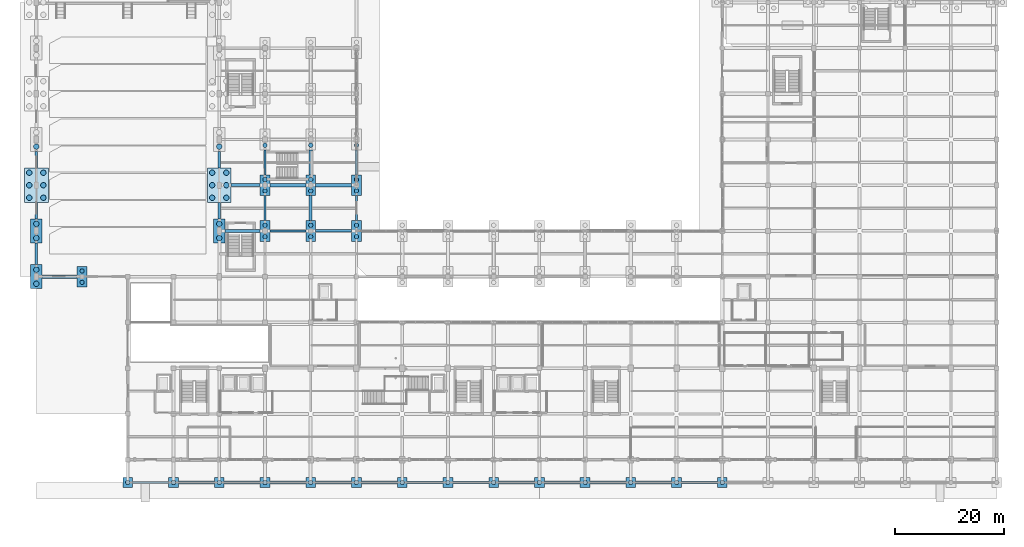
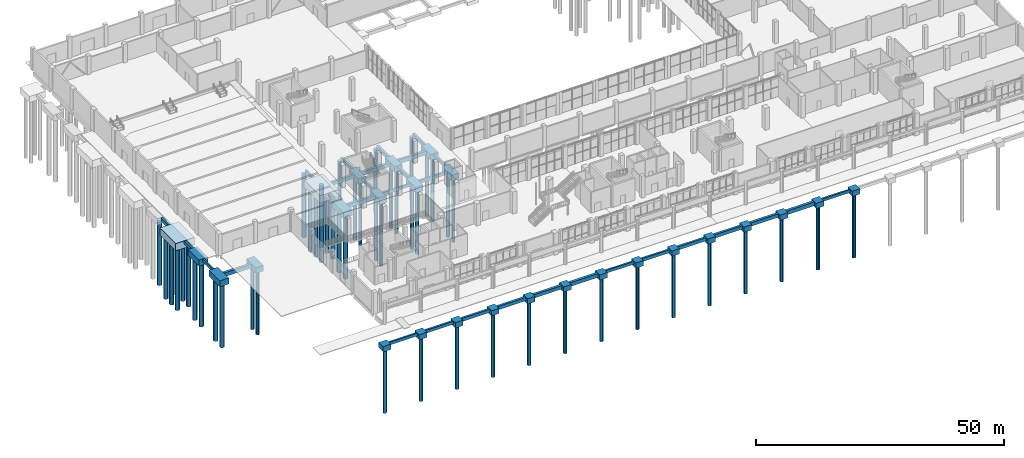
# One storey, part 1 of 82: 57 footings, 51 piles.
"""IFC4 building model written with IfcOpenShell, lengths in metres."""

from ifc_helpers import new_model, si_unit, derived_unit, direction, frame, origin, origin_2d, place, context, subcontext, project, spatial, polyline, rectangle, circle, outline, extrude, material, material_profile, profile_set, type_object, element, save


model = new_model("IFC4")

# Units and contexts
model_context = context("Model", 3, precision=1e-05, world=origin(), true_north=direction((0.0, 1.0)))
body_context = subcontext(model_context, "Body", "Model", "MODEL_VIEW")
ifc_project = project(units=[si_unit("LENGTHUNIT", "METRE"), si_unit("AREAUNIT", "SQUARE_METRE"), si_unit("VOLUMEUNIT", "CUBIC_METRE"), si_unit("PLANEANGLEUNIT", "RADIAN"), si_unit("MASSUNIT", "GRAM", prefix="KILO"), derived_unit("THERMALTRANSMITTANCEUNIT", [(si_unit("POWERUNIT", "WATT"), 1), (si_unit("LENGTHUNIT", "METRE"), -2), (si_unit("THERMODYNAMICTEMPERATUREUNIT", "KELVIN"), -1)])], contexts=[model_context])

# Site, building, storey
site_placement = place(None, origin())
site = spatial("IfcSite", under=ifc_project, at=site_placement, CompositionType="ELEMENT")
building_placement = place(site_placement, origin())
building = spatial("IfcBuilding", under=site, at=building_placement, Name="Barrovel Congress Hotel", CompositionType="ELEMENT")
storey_placement = place(building_placement, origin())
storey = spatial("IfcBuildingStorey", under=building, at=storey_placement, Name="L00", CompositionType="ELEMENT", Elevation=0.0)

# Footings
ifc_material_1 = material(Name="Concrete C40", Category="concrete")
footing_type_1 = type_object("IfcFootingType", Name="CAP-PC-01", PredefinedType="PILE_CAP", material=ifc_material_1)
for number, where, z_axis, x_axis, name in (
    (1, (16.800048828125, 0.0, -6.16015625), (0.0, 0.0, 1.0), (1.0, 0.0, 0.0), "CAP:L00:16.8:0.0"),
    (2, (25.199951171875, 0.0, -6.16015625), (0.0, 0.0, 1.0), (1.0, 0.0, 0.0), "CAP:L00:25.2:0.0"),
    (3, (33.60009765625, 0.0, -6.16015625), (0.0, 0.0, 1.0), (1.0, 0.0, 0.0), "CAP:L00:33.6:0.0"),
    (4, (42.0, 0.0, -6.16015625), (0.0, 0.0, 1.0), (1.0, 0.0, 0.0), "CAP:L00:42.0:0.0"),
    (5, (50.39990234375, 0.0, -6.16015625), (0.0, 0.0, 1.0), (1.0, 0.0, 0.0), "CAP:L00:50.4:0.0"),
    (6, (58.800048828125, 0.0, -6.16015625), (0.0, 0.0, 1.0), (1.0, 0.0, 0.0), "CAP:L00:58.8:0.0"),
    (7, (67.199951171875, 0.0, -6.16015625), (0.0, 0.0, 1.0), (1.0, 0.0, 0.0), "CAP:L00:67.2:0.0"),
    (8, (75.60009765625, 0.0, -6.16015625), (0.0, 0.0, 1.0), (1.0, 0.0, 0.0), "CAP:L00:75.6:0.0"),
    (9, (84.0, 0.0, -6.16015625), (0.0, 0.0, 1.0), (1.0, 0.0, 0.0), "CAP:L00:84.0:0.0"),
    (10, (92.39990234375, 0.0, -6.16015625), (0.0, 0.0, 1.0), (1.0, 0.0, 0.0), "CAP:L00:92.4:0.0"),
    (11, (100.800048828125, 0.0, -6.16015625), (0.0, 0.0, 1.0), (1.0, 0.0, 0.0), "CAP:L00:100.8:0.0"),
    (12, (109.199951171875, 0.0, -6.16015625), (0.0, 0.0, 1.0), (1.0, 0.0, 0.0), "CAP:L00:109.2:0.0"),
    (13, (117.60009765625, 0.0, -6.16015625), (0.0, 0.0, 1.0), (1.0, 0.0, 0.0), "CAP:L00:117.6:0.0"),
    (14, (126.0, 0.0, -6.16015625), (0.0, 0.0, 1.0), (1.0, 0.0, 0.0), "CAP:L00:126.0:0.0"),
):
    element("IfcFooting", number, at=place(storey_placement, frame(where, z_axis=z_axis, x_axis=x_axis)), inside=storey, type_object=footing_type_1, Name=name, PredefinedType="PILE_CAP", context=body_context, shape_type="SweptSolid", body=[
        extrude(rectangle(XDim=1.800048828125, YDim=1.800048828125, at=origin_2d()), origin(), (0.0, 0.0, 1.0), 1.300048828125),
    ])
footing_type_2 = type_object("IfcFootingType", Name="CAP-PC-04", PredefinedType="PILE_CAP", material=ifc_material_1)
for number, where, z_axis, x_axis, name in (
    (15, (8.39990234375, 37.800048828125, -6.260009765625), (0.0, 0.0, 1.0), (1.0, 0.0, 0.0), "CAP:L00:8.4:37.8"),
    (16, (42.0, 46.199951171875, -6.260009765625), (0.0, 0.0, 1.0), (1.0, 0.0, 0.0), "CAP:L00:42.0:46.2"),
    (17, (42.0, 54.60009765625, -6.260009765625), (0.0, 0.0, 1.0), (1.0, 0.0, 0.0), "CAP:L00:42.0:54.6"),
    (18, (50.39990234375, 46.199951171875, -6.260009765625), (0.0, 0.0, 1.0), (1.0, 0.0, 0.0), "CAP:L00:50.4:46.2"),
    (19, (50.39990234375, 54.60009765625, -6.260009765625), (0.0, 0.0, 1.0), (1.0, 0.0, 0.0), "CAP:L00:50.4:54.6"),
    (20, (58.800048828125, 46.199951171875, -6.260009765625), (0.0, 0.0, 1.0), (1.0, 0.0, 0.0), "CAP:L00:58.8:46.2"),
    (21, (58.800048828125, 54.60009765625, -6.260009765625), (0.0, 0.0, 1.0), (1.0, 0.0, 0.0), "CAP:L00:58.8:54.6"),
):
    element("IfcFooting", number, at=place(storey_placement, frame(where, z_axis=z_axis, x_axis=x_axis)), inside=storey, type_object=footing_type_2, Name=name, PredefinedType="PILE_CAP", context=body_context, shape_type="SweptSolid", body=[
        extrude(rectangle(XDim=1.800048828125, YDim=3.800048828125, at=origin_2d()), origin(), (0.0, 0.0, 1.0), 1.39990234375),
    ])
footing_type_3 = type_object("IfcFootingType", Name="CAP-PC-06", PredefinedType="PILE_CAP", material=ifc_material_1)
for number, where, z_axis, x_axis, name in (
    (22, (0.0, 37.800048828125, -6.360107421875), (0.0, 0.0, 1.0), (1.0, 0.0, 0.0), "CAP:L00:0.0:37.8"),
    (23, (0.0, 46.199951171875, -6.360107421875), (0.0, 0.0, 1.0), (1.0, 0.0, 0.0), "CAP:L00:0.0:46.2"),
    (24, (33.60009765625, 46.199951171875, -6.360107421875), (0.0, 0.0, 1.0), (1.0, 0.0, 0.0), "CAP:L00:33.6:46.2"),
):
    element("IfcFooting", number, at=place(storey_placement, frame(where, z_axis=z_axis, x_axis=x_axis)), inside=storey, type_object=footing_type_3, Name=name, PredefinedType="PILE_CAP", context=body_context, shape_type="SweptSolid", body=[
        extrude(rectangle(XDim=2.10009765625, YDim=4.39990234375, at=origin_2d()), origin(), (0.0, 0.0, 1.0), 1.5),
    ])
footing_type_4 = type_object("IfcFootingType", Name="CAP-PC-13", PredefinedType="PILE_CAP", material=ifc_material_1)
for number, where, z_axis, x_axis, name in (
    (25, (0.0, 54.60009765625, -6.66015625), (0.0, 0.0, 1.0), (1.0, 0.0, 0.0), "CAP:L00:0.0:54.6"),
    (26, (33.60009765625, 54.60009765625, -6.66015625), (0.0, 0.0, 1.0), (1.0, 0.0, 0.0), "CAP:L00:33.6:54.6"),
):
    element("IfcFooting", number, at=place(storey_placement, frame(where, z_axis=z_axis, x_axis=x_axis)), inside=storey, type_object=footing_type_4, Name=name, PredefinedType="PILE_CAP", context=body_context, shape_type="SweptSolid", body=[
        extrude(rectangle(XDim=4.39990234375, YDim=6.39990234375, at=origin_2d()), origin(), (0.0, 0.0, 1.0), 1.800048828125),
    ])
footing_type_5 = type_object("IfcFootingType", Name="FB-400x700", PredefinedType="FOOTING_BEAM", material=ifc_material_1)
footing_1_placement = place(storey_placement, frame((0.0, 0.0, -5.56005859375)))
element("IfcFooting", 27, at=footing_1_placement, inside=storey, type_object=footing_type_5, Name="FBX:L00:0.0:16.8-25.2", PredefinedType="FOOTING_BEAM", context=body_context, shape_type="SweptSolid", body=[
    extrude(outline(polyline([(17.699951171875, -0.199951171875), (24.300048828125, -0.199951171875), (24.300048828125, 0.199951171875), (17.699951171875, 0.199951171875), (17.699951171875, -0.199951171875)])), origin(), (0.0, 0.0, 1.0), 0.699951171875),
])
footing_2_placement = place(storey_placement, frame((0.0, 0.0, -5.56005859375)))
element("IfcFooting", 28, at=footing_2_placement, inside=storey, type_object=footing_type_5, Name="FBX:L00:0.0:67.2-75.6", PredefinedType="FOOTING_BEAM", context=body_context, shape_type="SweptSolid", body=[
    extrude(outline(polyline([(68.10009765625, -0.199951171875), (74.699951171875, -0.199951171875), (74.699951171875, 0.199951171875), (68.10009765625, 0.199951171875), (68.10009765625, -0.199951171875)])), origin(), (0.0, 0.0, 1.0), 0.699951171875),
])
footing_3_placement = place(storey_placement, frame((0.0, 0.0, -5.56005859375)))
element("IfcFooting", 29, at=footing_3_placement, inside=storey, type_object=footing_type_5, Name="FBX:L00:0.0:117.6-126.0", PredefinedType="FOOTING_BEAM", context=body_context, shape_type="SweptSolid", body=[
    extrude(outline(polyline([(118.5, -0.199951171875), (125.10009765625, -0.199951171875), (125.10009765625, 0.199951171875), (118.5, 0.199951171875), (118.5, -0.199951171875)])), origin(), (0.0, 0.0, 1.0), 0.699951171875),
])
footing_4_placement = place(storey_placement, frame((0.0, 0.0, -5.56005859375)))
element("IfcFooting", 30, at=footing_4_placement, inside=storey, type_object=footing_type_5, Name="FBX:L00:46.2:42.0-50.4", PredefinedType="FOOTING_BEAM", context=body_context, shape_type="SweptSolid", body=[
    extrude(outline(polyline([(42.89990234375, 46.0), (49.5, 46.0), (49.5, 46.39990234375), (42.89990234375, 46.39990234375), (42.89990234375, 46.0)])), origin(), (0.0, 0.0, 1.0), 0.699951171875),
])
footing_5_placement = place(storey_placement, frame((0.0, 0.0, -5.56005859375)))
element("IfcFooting", 31, at=footing_5_placement, inside=storey, type_object=footing_type_5, Name="FBY:L00:0.0:37.8-46.2", PredefinedType="FOOTING_BEAM", context=body_context, shape_type="SweptSolid", body=[
    extrude(outline(polyline([(-0.199951171875, 40.0), (0.199951171875, 40.0), (0.199951171875, 44.0), (-0.199951171875, 44.0), (-0.199951171875, 40.0)])), origin(), (0.0, 0.0, 1.0), 0.699951171875),
])
footing_6_placement = place(storey_placement, frame((0.0, 0.0, -5.56005859375)))
element("IfcFooting", 32, at=footing_6_placement, inside=storey, type_object=footing_type_5, Name="FBY:L00:33.6:46.2-54.6", PredefinedType="FOOTING_BEAM", context=body_context, shape_type="SweptSolid", body=[
    extrude(outline(polyline([(33.39990234375, 48.39990234375), (33.800048828125, 48.39990234375), (33.800048828125, 51.39990234375), (33.39990234375, 51.39990234375), (33.39990234375, 48.39990234375)])), origin(), (0.0, 0.0, 1.0), 0.699951171875),
])
footing_7_placement = place(storey_placement, frame((0.0, 0.0, -5.56005859375)))
element("IfcFooting", 33, at=footing_7_placement, inside=storey, type_object=footing_type_5, Name="FBY:L00:42.0:46.2-54.6", PredefinedType="FOOTING_BEAM", context=body_context, shape_type="SweptSolid", body=[
    extrude(outline(polyline([(41.800048828125, 48.10009765625), (42.199951171875, 48.10009765625), (42.199951171875, 52.699951171875), (41.800048828125, 52.699951171875), (41.800048828125, 48.10009765625)])), origin(), (0.0, 0.0, 1.0), 0.699951171875),
])
footing_8_placement = place(storey_placement, frame((0.0, 0.0, -5.56005859375)))
element("IfcFooting", 34, at=footing_8_placement, inside=storey, type_object=footing_type_5, Name="FBY:L00:58.8:46.2-54.6", PredefinedType="FOOTING_BEAM", context=body_context, shape_type="SweptSolid", body=[
    extrude(outline(polyline([(58.60009765625, 48.10009765625), (59.0, 48.10009765625), (59.0, 52.699951171875), (58.60009765625, 52.699951171875), (58.60009765625, 48.10009765625)])), origin(), (0.0, 0.0, 1.0), 0.699951171875),
])
footing_type_6 = type_object("IfcFootingType", Name="FB-450x750", PredefinedType="FOOTING_BEAM", material=ifc_material_1)
footing_9_placement = place(storey_placement, frame((0.0, 0.0, -5.610107421875)))
element("IfcFooting", 35, at=footing_9_placement, inside=storey, type_object=footing_type_6, Name="FBX:L00:0.0:25.2-33.6", PredefinedType="FOOTING_BEAM", context=body_context, shape_type="SweptSolid", body=[
    extrude(outline(polyline([(26.10009765625, -0.22509765625), (32.699951171875, -0.22509765625), (32.699951171875, 0.22509765625), (26.10009765625, 0.22509765625), (26.10009765625, -0.22509765625)])), origin(), (0.0, 0.0, 1.0), 0.75),
])
footing_10_placement = place(storey_placement, frame((0.0, 0.0, -5.610107421875)))
element("IfcFooting", 36, at=footing_10_placement, inside=storey, type_object=footing_type_6, Name="FBX:L00:0.0:75.6-84.0", PredefinedType="FOOTING_BEAM", context=body_context, shape_type="SweptSolid", body=[
    extrude(outline(polyline([(76.5, -0.22509765625), (83.10009765625, -0.22509765625), (83.10009765625, 0.22509765625), (76.5, 0.22509765625), (76.5, -0.22509765625)])), origin(), (0.0, 0.0, 1.0), 0.75),
])
footing_11_placement = place(storey_placement, frame((0.0, 0.0, -5.610107421875)))
element("IfcFooting", 37, at=footing_11_placement, inside=storey, type_object=footing_type_6, Name="FBX:L00:46.2:50.4-58.8", PredefinedType="FOOTING_BEAM", context=body_context, shape_type="SweptSolid", body=[
    extrude(outline(polyline([(51.300048828125, 45.97509765625), (57.89990234375, 45.97509765625), (57.89990234375, 46.425048828125), (51.300048828125, 46.425048828125), (51.300048828125, 45.97509765625)])), origin(), (0.0, 0.0, 1.0), 0.75),
])
footing_12_placement = place(storey_placement, frame((0.0, 0.0, -5.610107421875)))
element("IfcFooting", 38, at=footing_12_placement, inside=storey, type_object=footing_type_6, Name="FBY:L00:0.0:46.2-54.6", PredefinedType="FOOTING_BEAM", context=body_context, shape_type="SweptSolid", body=[
    extrude(outline(polyline([(-0.22509765625, 48.39990234375), (0.22509765625, 48.39990234375), (0.22509765625, 51.39990234375), (-0.22509765625, 51.39990234375), (-0.22509765625, 48.39990234375)])), origin(), (0.0, 0.0, 1.0), 0.75),
])
footing_13_placement = place(storey_placement, frame((0.0, 0.0, -5.610107421875)))
element("IfcFooting", 39, at=footing_13_placement, inside=storey, type_object=footing_type_6, Name="FBY:L00:33.6:54.6-63.0", PredefinedType="FOOTING_BEAM", context=body_context, shape_type="SweptSolid", body=[
    extrude(outline(polyline([(33.375, 57.800048828125), (33.824951171875, 57.800048828125), (33.824951171875, 60.800048828125), (33.375, 60.800048828125), (33.375, 57.800048828125)])), origin(), (0.0, 0.0, 1.0), 0.75),
])
footing_14_placement = place(storey_placement, frame((0.0, 0.0, -5.610107421875)))
element("IfcFooting", 40, at=footing_14_placement, inside=storey, type_object=footing_type_6, Name="FBY:L00:42.0:54.6-63.0", PredefinedType="FOOTING_BEAM", context=body_context, shape_type="SweptSolid", body=[
    extrude(outline(polyline([(41.77490234375, 56.5), (42.22509765625, 56.5), (42.22509765625, 61.10009765625), (41.77490234375, 61.10009765625), (41.77490234375, 56.5)])), origin(), (0.0, 0.0, 1.0), 0.75),
])
footing_15_placement = place(storey_placement, frame((0.0, 0.0, -5.610107421875)))
element("IfcFooting", 41, at=footing_15_placement, inside=storey, type_object=footing_type_6, Name="FBY:L00:58.8:54.6-63.0", PredefinedType="FOOTING_BEAM", context=body_context, shape_type="SweptSolid", body=[
    extrude(outline(polyline([(58.574951171875, 56.5), (59.02490234375, 56.5), (59.02490234375, 61.10009765625), (58.574951171875, 61.10009765625), (58.574951171875, 56.5)])), origin(), (0.0, 0.0, 1.0), 0.75),
])
footing_type_7 = type_object("IfcFootingType", Name="FB-500x800", PredefinedType="FOOTING_BEAM", material=ifc_material_1)
footing_16_placement = place(storey_placement, frame((0.0, 0.0, -5.659912109375)))
element("IfcFooting", 42, at=footing_16_placement, inside=storey, type_object=footing_type_7, Name="FBX:L00:0.0:33.6-42.0", PredefinedType="FOOTING_BEAM", context=body_context, shape_type="SweptSolid", body=[
    extrude(outline(polyline([(34.5, -0.25), (41.10009765625, -0.25), (41.10009765625, 0.25), (34.5, 0.25), (34.5, -0.25)])), origin(), (0.0, 0.0, 1.0), 0.7998046875),
])
footing_17_placement = place(storey_placement, frame((0.0, 0.0, -5.659912109375)))
element("IfcFooting", 43, at=footing_17_placement, inside=storey, type_object=footing_type_7, Name="FBX:L00:0.0:84.0-92.4", PredefinedType="FOOTING_BEAM", context=body_context, shape_type="SweptSolid", body=[
    extrude(outline(polyline([(84.89990234375, -0.25), (91.5, -0.25), (91.5, 0.25), (84.89990234375, 0.25), (84.89990234375, -0.25)])), origin(), (0.0, 0.0, 1.0), 0.7998046875),
])
footing_18_placement = place(storey_placement, frame((0.0, 0.0, -5.659912109375)))
element("IfcFooting", 44, at=footing_18_placement, inside=storey, type_object=footing_type_7, Name="FBY:L00:0.0:54.6-63.0", PredefinedType="FOOTING_BEAM", context=body_context, shape_type="SweptSolid", body=[
    extrude(outline(polyline([(-0.25, 57.800048828125), (0.25, 57.800048828125), (0.25, 60.800048828125), (-0.25, 60.800048828125), (-0.25, 57.800048828125)])), origin(), (0.0, 0.0, 1.0), 0.7998046875),
])
footing_type_8 = type_object("IfcFootingType", Name="FB-550x850", PredefinedType="FOOTING_BEAM", material=ifc_material_1)
footing_19_placement = place(storey_placement, frame((0.0, 0.0, -5.7099609375)))
element("IfcFooting", 45, at=footing_19_placement, inside=storey, type_object=footing_type_8, Name="FBX:L00:0.0:42.0-50.4", PredefinedType="FOOTING_BEAM", context=body_context, shape_type="SweptSolid", body=[
    extrude(outline(polyline([(42.89990234375, -0.27490234375), (49.5, -0.27490234375), (49.5, 0.27490234375), (42.89990234375, 0.27490234375), (42.89990234375, -0.27490234375)])), origin(), (0.0, 0.0, 1.0), 0.849853515625),
])
footing_20_placement = place(storey_placement, frame((0.0, 0.0, -5.7099609375)))
element("IfcFooting", 46, at=footing_20_placement, inside=storey, type_object=footing_type_8, Name="FBX:L00:0.0:92.4-100.8", PredefinedType="FOOTING_BEAM", context=body_context, shape_type="SweptSolid", body=[
    extrude(outline(polyline([(93.300048828125, -0.27490234375), (99.89990234375, -0.27490234375), (99.89990234375, 0.27490234375), (93.300048828125, 0.27490234375), (93.300048828125, -0.27490234375)])), origin(), (0.0, 0.0, 1.0), 0.849853515625),
])
footing_21_placement = place(storey_placement, frame((0.0, 0.0, -5.7099609375)))
element("IfcFooting", 47, at=footing_21_placement, inside=storey, type_object=footing_type_8, Name="FBX:L00:54.6:33.6-42.0", PredefinedType="FOOTING_BEAM", context=body_context, shape_type="SweptSolid", body=[
    extrude(outline(polyline([(35.800048828125, 54.324951171875), (41.10009765625, 54.324951171875), (41.10009765625, 54.875), (35.800048828125, 54.875), (35.800048828125, 54.324951171875)])), origin(), (0.0, 0.0, 1.0), 0.849853515625),
])
footing_22_placement = place(storey_placement, frame((0.0, 0.0, -5.7099609375)))
element("IfcFooting", 48, at=footing_22_placement, inside=storey, type_object=footing_type_8, Name="FBY:L00:50.4:46.2-54.6", PredefinedType="FOOTING_BEAM", context=body_context, shape_type="SweptSolid", body=[
    extrude(outline(polyline([(50.125, 48.10009765625), (50.675048828125, 48.10009765625), (50.675048828125, 52.699951171875), (50.125, 52.699951171875), (50.125, 48.10009765625)])), origin(), (0.0, 0.0, 1.0), 0.849853515625),
])
footing_type_9 = type_object("IfcFootingType", Name="FB-600x850", PredefinedType="FOOTING_BEAM", material=ifc_material_1)
footing_23_placement = place(storey_placement, frame((0.0, 0.0, -5.7099609375)))
element("IfcFooting", 49, at=footing_23_placement, inside=storey, type_object=footing_type_9, Name="FBX:L00:0.0:50.4-58.8", PredefinedType="FOOTING_BEAM", context=body_context, shape_type="SweptSolid", body=[
    extrude(outline(polyline([(51.300048828125, -0.300048828125), (57.89990234375, -0.300048828125), (57.89990234375, 0.300048828125), (51.300048828125, 0.300048828125), (51.300048828125, -0.300048828125)])), origin(), (0.0, 0.0, 1.0), 0.849853515625),
])
footing_24_placement = place(storey_placement, frame((0.0, 0.0, -5.7099609375)))
element("IfcFooting", 50, at=footing_24_placement, inside=storey, type_object=footing_type_9, Name="FBX:L00:0.0:100.8-109.2", PredefinedType="FOOTING_BEAM", context=body_context, shape_type="SweptSolid", body=[
    extrude(outline(polyline([(101.699951171875, -0.300048828125), (108.300048828125, -0.300048828125), (108.300048828125, 0.300048828125), (101.699951171875, 0.300048828125), (101.699951171875, -0.300048828125)])), origin(), (0.0, 0.0, 1.0), 0.849853515625),
])
footing_25_placement = place(storey_placement, frame((0.0, 0.0, -5.7099609375)))
element("IfcFooting", 51, at=footing_25_placement, inside=storey, type_object=footing_type_9, Name="FBX:L00:54.6:42.0-50.4", PredefinedType="FOOTING_BEAM", context=body_context, shape_type="SweptSolid", body=[
    extrude(outline(polyline([(42.89990234375, 54.300048828125), (49.5, 54.300048828125), (49.5, 54.89990234375), (42.89990234375, 54.89990234375), (42.89990234375, 54.300048828125)])), origin(), (0.0, 0.0, 1.0), 0.849853515625),
])
footing_26_placement = place(storey_placement, frame((0.0, 0.0, -5.7099609375)))
element("IfcFooting", 52, at=footing_26_placement, inside=storey, type_object=footing_type_9, Name="FBY:L00:50.4:54.6-63.0", PredefinedType="FOOTING_BEAM", context=body_context, shape_type="SweptSolid", body=[
    extrude(outline(polyline([(50.10009765625, 56.5), (50.699951171875, 56.5), (50.699951171875, 61.10009765625), (50.10009765625, 61.10009765625), (50.10009765625, 56.5)])), origin(), (0.0, 0.0, 1.0), 0.849853515625),
])
footing_type_10 = type_object("IfcFootingType", Name="FB-600x950", PredefinedType="FOOTING_BEAM", material=ifc_material_1)
footing_27_placement = place(storey_placement, frame((0.0, 0.0, -5.81005859375)))
element("IfcFooting", 53, at=footing_27_placement, inside=storey, type_object=footing_type_10, Name="FBX:L00:0.0:58.8-67.2", PredefinedType="FOOTING_BEAM", context=body_context, shape_type="SweptSolid", body=[
    extrude(outline(polyline([(59.699951171875, -0.300048828125), (66.300048828125, -0.300048828125), (66.300048828125, 0.300048828125), (59.699951171875, 0.300048828125), (59.699951171875, -0.300048828125)])), origin(), (0.0, 0.0, 1.0), 0.949951171875),
])
footing_28_placement = place(storey_placement, frame((0.0, 0.0, -5.81005859375)))
element("IfcFooting", 54, at=footing_28_placement, inside=storey, type_object=footing_type_10, Name="FBX:L00:0.0:109.2-117.6", PredefinedType="FOOTING_BEAM", context=body_context, shape_type="SweptSolid", body=[
    extrude(outline(polyline([(110.10009765625, -0.300048828125), (116.699951171875, -0.300048828125), (116.699951171875, 0.300048828125), (110.10009765625, 0.300048828125), (110.10009765625, -0.300048828125)])), origin(), (0.0, 0.0, 1.0), 0.949951171875),
])
footing_29_placement = place(storey_placement, frame((0.0, 0.0, -5.81005859375)))
element("IfcFooting", 55, at=footing_29_placement, inside=storey, type_object=footing_type_10, Name="FBX:L00:37.8:0.0-8.4", PredefinedType="FOOTING_BEAM", context=body_context, shape_type="SweptSolid", body=[
    extrude(outline(polyline([(1.050048828125, 37.5), (7.5, 37.5), (7.5, 38.10009765625), (1.050048828125, 38.10009765625), (1.050048828125, 37.5)])), origin(), (0.0, 0.0, 1.0), 0.949951171875),
])
footing_30_placement = place(storey_placement, frame((0.0, 0.0, -5.81005859375)))
element("IfcFooting", 56, at=footing_30_placement, inside=storey, type_object=footing_type_10, Name="FBX:L00:46.2:33.6-42.0", PredefinedType="FOOTING_BEAM", context=body_context, shape_type="SweptSolid", body=[
    extrude(outline(polyline([(34.64990234375, 45.89990234375), (41.10009765625, 45.89990234375), (41.10009765625, 46.5), (34.64990234375, 46.5), (34.64990234375, 45.89990234375)])), origin(), (0.0, 0.0, 1.0), 0.949951171875),
])
footing_31_placement = place(storey_placement, frame((0.0, 0.0, -5.81005859375)))
element("IfcFooting", 57, at=footing_31_placement, inside=storey, type_object=footing_type_10, Name="FBX:L00:54.6:50.4-58.8", PredefinedType="FOOTING_BEAM", context=body_context, shape_type="SweptSolid", body=[
    extrude(outline(polyline([(51.300048828125, 54.300048828125), (57.89990234375, 54.300048828125), (57.89990234375, 54.89990234375), (51.300048828125, 54.89990234375), (51.300048828125, 54.300048828125)])), origin(), (0.0, 0.0, 1.0), 0.949951171875),
])

# Piles
ifc_material_2 = material(Name="Concrete C35", Category="concrete")
ifc_material_profile_1 = material_profile(ifc_material_2, circle(Radius=0.5, at=origin_2d()), Name="BP-D1000")
ifc_profile_set_1 = profile_set([ifc_material_profile_1], Name="Concrete C35")
pile_type_1 = type_object("IfcPileType", Name="PILE-BP-D1000", PredefinedType="BORED", material=ifc_profile_set_1)
for number, where, z_axis, x_axis, name in (
    (58, (0.0, 36.5, -6.360107421875), (0.0, 0.0, -1.0), (1.0, 0.0, 0.0), "PILE:L00:0.0:37.8:1"),
    (59, (0.0, 39.10009765625, -6.360107421875), (0.0, 0.0, -1.0), (1.0, 0.0, 0.0), "PILE:L00:0.0:37.8:2"),
    (60, (0.0, 44.89990234375, -6.360107421875), (0.0, 0.0, -1.0), (1.0, 0.0, 0.0), "PILE:L00:0.0:46.2:1"),
    (61, (0.0, 47.5, -6.360107421875), (0.0, 0.0, -1.0), (1.0, 0.0, 0.0), "PILE:L00:0.0:46.2:2"),
):
    element("IfcPile", number, at=place(storey_placement, frame(where, z_axis=z_axis, x_axis=x_axis)), inside=storey, type_object=pile_type_1, Name=name, PredefinedType="BORED", context=body_context, shape_type="SweptSolid", body=[
        extrude(circle(Radius=0.5, at=origin_2d()), origin(), (0.0, 0.0, 1.0), 15.5400390625),
    ])
for number, where, z_axis, x_axis, name in (
    (62, (-1.300048828125, 52.300048828125, -6.659912109375), (0.0, 0.0, -1.0), (1.0, 0.0, 0.0), "PILE:L00:0.0:54.6:1"),
    (63, (1.300048828125, 52.300048828125, -6.659912109375), (0.0, 0.0, -1.0), (1.0, 0.0, 0.0), "PILE:L00:0.0:54.6:2"),
    (64, (-1.300048828125, 54.60009765625, -6.659912109375), (0.0, 0.0, -1.0), (1.0, 0.0, 0.0), "PILE:L00:0.0:54.6:3"),
    (65, (1.300048828125, 54.60009765625, -6.659912109375), (0.0, 0.0, -1.0), (1.0, 0.0, 0.0), "PILE:L00:0.0:54.6:4"),
    (66, (-1.300048828125, 56.89990234375, -6.659912109375), (0.0, 0.0, -1.0), (1.0, 0.0, 0.0), "PILE:L00:0.0:54.6:5"),
    (67, (1.300048828125, 56.89990234375, -6.659912109375), (0.0, 0.0, -1.0), (1.0, 0.0, 0.0), "PILE:L00:0.0:54.6:6"),
):
    element("IfcPile", number, at=place(storey_placement, frame(where, z_axis=z_axis, x_axis=x_axis)), inside=storey, type_object=pile_type_1, Name=name, PredefinedType="BORED", context=body_context, shape_type="SweptSolid", body=[
        extrude(circle(Radius=0.5, at=origin_2d()), origin(), (0.0, 0.0, 1.0), 15.239990234375),
    ])
for number, where, z_axis, x_axis, name in (
    (68, (0.0, 61.699951171875, -6.360107421875), (0.0, 0.0, -1.0), (1.0, 0.0, 0.0), "PILE:L00:0.0:63.0:1"),
    (69, (33.60009765625, 44.89990234375, -6.360107421875), (0.0, 0.0, -1.0), (1.0, 0.0, 0.0), "PILE:L00:33.6:46.2:1"),
    (70, (33.60009765625, 47.5, -6.360107421875), (0.0, 0.0, -1.0), (1.0, 0.0, 0.0), "PILE:L00:33.6:46.2:2"),
):
    element("IfcPile", number, at=place(storey_placement, frame(where, z_axis=z_axis, x_axis=x_axis)), inside=storey, type_object=pile_type_1, Name=name, PredefinedType="BORED", context=body_context, shape_type="SweptSolid", body=[
        extrude(circle(Radius=0.5, at=origin_2d()), origin(), (0.0, 0.0, 1.0), 15.5400390625),
    ])
for number, where, z_axis, x_axis, name in (
    (71, (32.300048828125, 52.300048828125, -6.659912109375), (0.0, 0.0, -1.0), (1.0, 0.0, 0.0), "PILE:L00:33.6:54.6:1"),
    (72, (34.89990234375, 52.300048828125, -6.659912109375), (0.0, 0.0, -1.0), (1.0, 0.0, 0.0), "PILE:L00:33.6:54.6:2"),
    (73, (32.300048828125, 54.60009765625, -6.659912109375), (0.0, 0.0, -1.0), (1.0, 0.0, 0.0), "PILE:L00:33.6:54.6:3"),
    (74, (34.89990234375, 54.60009765625, -6.659912109375), (0.0, 0.0, -1.0), (1.0, 0.0, 0.0), "PILE:L00:33.6:54.6:4"),
    (75, (32.300048828125, 56.89990234375, -6.659912109375), (0.0, 0.0, -1.0), (1.0, 0.0, 0.0), "PILE:L00:33.6:54.6:5"),
    (76, (34.89990234375, 56.89990234375, -6.659912109375), (0.0, 0.0, -1.0), (1.0, 0.0, 0.0), "PILE:L00:33.6:54.6:6"),
):
    element("IfcPile", number, at=place(storey_placement, frame(where, z_axis=z_axis, x_axis=x_axis)), inside=storey, type_object=pile_type_1, Name=name, PredefinedType="BORED", context=body_context, shape_type="SweptSolid", body=[
        extrude(circle(Radius=0.5, at=origin_2d()), origin(), (0.0, 0.0, 1.0), 15.239990234375),
    ])
pile_1_placement = place(storey_placement, frame((33.60009765625, 61.699951171875, -6.360107421875), z_axis=(0.0, 0.0, -1.0), x_axis=(1.0, 0.0, 0.0)))
element("IfcPile", 77, at=pile_1_placement, inside=storey, type_object=pile_type_1, Name="PILE:L00:33.6:63.0:1", PredefinedType="BORED", context=body_context, shape_type="SweptSolid", body=[
    extrude(circle(Radius=0.5, at=origin_2d()), origin(), (0.0, 0.0, 1.0), 15.5400390625),
])
ifc_material_profile_2 = material_profile(ifc_material_2, circle(Radius=0.39990234375, at=origin_2d()), Name="BP-D800")
ifc_profile_set_2 = profile_set([ifc_material_profile_2], Name="Concrete C35")
pile_type_2 = type_object("IfcPileType", Name="PILE-BP-D800", PredefinedType="BORED", material=ifc_profile_set_2)
for number, where, z_axis, x_axis, name in (
    (78, (8.39990234375, 36.75, -6.260009765625), (0.0, 0.0, -1.0), (1.0, 0.0, 0.0), "PILE:L00:8.4:37.8:1"),
    (79, (8.39990234375, 38.85009765625, -6.260009765625), (0.0, 0.0, -1.0), (1.0, 0.0, 0.0), "PILE:L00:8.4:37.8:2"),
):
    element("IfcPile", number, at=place(storey_placement, frame(where, z_axis=z_axis, x_axis=x_axis)), inside=storey, type_object=pile_type_2, Name=name, PredefinedType="BORED", context=body_context, shape_type="SweptSolid", body=[
        extrude(circle(Radius=0.39990234375, at=origin_2d()), origin(), (0.0, 0.0, 1.0), 15.639892578125),
    ])
for number, where, z_axis, x_axis, name in (
    (80, (16.800048828125, 0.0, -6.159912109375), (0.0, 0.0, -1.0), (1.0, 0.0, 0.0), "PILE:L00:16.8:0.0:1"),
    (81, (25.199951171875, 0.0, -6.159912109375), (0.0, 0.0, -1.0), (1.0, 0.0, 0.0), "PILE:L00:25.2:0.0:1"),
    (82, (33.60009765625, 0.0, -6.159912109375), (0.0, 0.0, -1.0), (1.0, 0.0, 0.0), "PILE:L00:33.6:0.0:1"),
    (83, (42.0, 0.0, -6.159912109375), (0.0, 0.0, -1.0), (1.0, 0.0, 0.0), "PILE:L00:42.0:0.0:1"),
):
    element("IfcPile", number, at=place(storey_placement, frame(where, z_axis=z_axis, x_axis=x_axis)), inside=storey, type_object=pile_type_2, Name=name, PredefinedType="BORED", context=body_context, shape_type="SweptSolid", body=[
        extrude(circle(Radius=0.39990234375, at=origin_2d()), origin(), (0.0, 0.0, 1.0), 15.739990234375),
    ])
for number, where, z_axis, x_axis, name in (
    (84, (42.0, 45.14990234375, -6.260009765625), (0.0, 0.0, -1.0), (1.0, 0.0, 0.0), "PILE:L00:42.0:46.2:1"),
    (85, (42.0, 47.25, -6.260009765625), (0.0, 0.0, -1.0), (1.0, 0.0, 0.0), "PILE:L00:42.0:46.2:2"),
    (86, (42.0, 53.550048828125, -6.260009765625), (0.0, 0.0, -1.0), (1.0, 0.0, 0.0), "PILE:L00:42.0:54.6:1"),
    (87, (42.0, 55.64990234375, -6.260009765625), (0.0, 0.0, -1.0), (1.0, 0.0, 0.0), "PILE:L00:42.0:54.6:2"),
    (88, (42.0, 61.949951171875, -6.260009765625), (0.0, 0.0, -1.0), (1.0, 0.0, 0.0), "PILE:L00:42.0:63.0:1"),
):
    element("IfcPile", number, at=place(storey_placement, frame(where, z_axis=z_axis, x_axis=x_axis)), inside=storey, type_object=pile_type_2, Name=name, PredefinedType="BORED", context=body_context, shape_type="SweptSolid", body=[
        extrude(circle(Radius=0.39990234375, at=origin_2d()), origin(), (0.0, 0.0, 1.0), 15.639892578125),
    ])
pile_2_placement = place(storey_placement, frame((50.39990234375, 0.0, -6.159912109375), z_axis=(0.0, 0.0, -1.0), x_axis=(1.0, 0.0, 0.0)))
element("IfcPile", 89, at=pile_2_placement, inside=storey, type_object=pile_type_2, Name="PILE:L00:50.4:0.0:1", PredefinedType="BORED", context=body_context, shape_type="SweptSolid", body=[
    extrude(circle(Radius=0.39990234375, at=origin_2d()), origin(), (0.0, 0.0, 1.0), 15.739990234375),
])
for number, where, z_axis, x_axis, name in (
    (90, (50.39990234375, 45.14990234375, -6.260009765625), (0.0, 0.0, -1.0), (1.0, 0.0, 0.0), "PILE:L00:50.4:46.2:1"),
    (91, (50.39990234375, 47.25, -6.260009765625), (0.0, 0.0, -1.0), (1.0, 0.0, 0.0), "PILE:L00:50.4:46.2:2"),
    (92, (50.39990234375, 53.550048828125, -6.260009765625), (0.0, 0.0, -1.0), (1.0, 0.0, 0.0), "PILE:L00:50.4:54.6:1"),
    (93, (50.39990234375, 55.64990234375, -6.260009765625), (0.0, 0.0, -1.0), (1.0, 0.0, 0.0), "PILE:L00:50.4:54.6:2"),
    (94, (50.39990234375, 61.949951171875, -6.260009765625), (0.0, 0.0, -1.0), (1.0, 0.0, 0.0), "PILE:L00:50.4:63.0:1"),
):
    element("IfcPile", number, at=place(storey_placement, frame(where, z_axis=z_axis, x_axis=x_axis)), inside=storey, type_object=pile_type_2, Name=name, PredefinedType="BORED", context=body_context, shape_type="SweptSolid", body=[
        extrude(circle(Radius=0.39990234375, at=origin_2d()), origin(), (0.0, 0.0, 1.0), 15.639892578125),
    ])
pile_3_placement = place(storey_placement, frame((58.800048828125, 0.0, -6.159912109375), z_axis=(0.0, 0.0, -1.0), x_axis=(1.0, 0.0, 0.0)))
element("IfcPile", 95, at=pile_3_placement, inside=storey, type_object=pile_type_2, Name="PILE:L00:58.8:0.0:1", PredefinedType="BORED", context=body_context, shape_type="SweptSolid", body=[
    extrude(circle(Radius=0.39990234375, at=origin_2d()), origin(), (0.0, 0.0, 1.0), 15.739990234375),
])
for number, where, z_axis, x_axis, name in (
    (96, (58.800048828125, 45.14990234375, -6.260009765625), (0.0, 0.0, -1.0), (1.0, 0.0, 0.0), "PILE:L00:58.8:46.2:1"),
    (97, (58.800048828125, 47.25, -6.260009765625), (0.0, 0.0, -1.0), (1.0, 0.0, 0.0), "PILE:L00:58.8:46.2:2"),
    (98, (58.800048828125, 53.550048828125, -6.260009765625), (0.0, 0.0, -1.0), (1.0, 0.0, 0.0), "PILE:L00:58.8:54.6:1"),
    (99, (58.800048828125, 55.64990234375, -6.260009765625), (0.0, 0.0, -1.0), (1.0, 0.0, 0.0), "PILE:L00:58.8:54.6:2"),
    (100, (58.800048828125, 61.949951171875, -6.260009765625), (0.0, 0.0, -1.0), (1.0, 0.0, 0.0), "PILE:L00:58.8:63.0:1"),
):
    element("IfcPile", number, at=place(storey_placement, frame(where, z_axis=z_axis, x_axis=x_axis)), inside=storey, type_object=pile_type_2, Name=name, PredefinedType="BORED", context=body_context, shape_type="SweptSolid", body=[
        extrude(circle(Radius=0.39990234375, at=origin_2d()), origin(), (0.0, 0.0, 1.0), 15.639892578125),
    ])
for number, where, z_axis, x_axis, name in (
    (101, (67.199951171875, 0.0, -6.159912109375), (0.0, 0.0, -1.0), (1.0, 0.0, 0.0), "PILE:L00:67.2:0.0:1"),
    (102, (75.60009765625, 0.0, -6.159912109375), (0.0, 0.0, -1.0), (1.0, 0.0, 0.0), "PILE:L00:75.6:0.0:1"),
    (103, (84.0, 0.0, -6.159912109375), (0.0, 0.0, -1.0), (1.0, 0.0, 0.0), "PILE:L00:84.0:0.0:1"),
    (104, (92.39990234375, 0.0, -6.159912109375), (0.0, 0.0, -1.0), (1.0, 0.0, 0.0), "PILE:L00:92.4:0.0:1"),
    (105, (100.800048828125, 0.0, -6.159912109375), (0.0, 0.0, -1.0), (1.0, 0.0, 0.0), "PILE:L00:100.8:0.0:1"),
    (106, (109.199951171875, 0.0, -6.159912109375), (0.0, 0.0, -1.0), (1.0, 0.0, 0.0), "PILE:L00:109.2:0.0:1"),
    (107, (117.60009765625, 0.0, -6.159912109375), (0.0, 0.0, -1.0), (1.0, 0.0, 0.0), "PILE:L00:117.6:0.0:1"),
    (108, (126.0, 0.0, -6.159912109375), (0.0, 0.0, -1.0), (1.0, 0.0, 0.0), "PILE:L00:126.0:0.0:1"),
):
    element("IfcPile", number, at=place(storey_placement, frame(where, z_axis=z_axis, x_axis=x_axis)), inside=storey, type_object=pile_type_2, Name=name, PredefinedType="BORED", context=body_context, shape_type="SweptSolid", body=[
        extrude(circle(Radius=0.39990234375, at=origin_2d()), origin(), (0.0, 0.0, 1.0), 15.739990234375),
    ])

save(model, "model.ifc")
